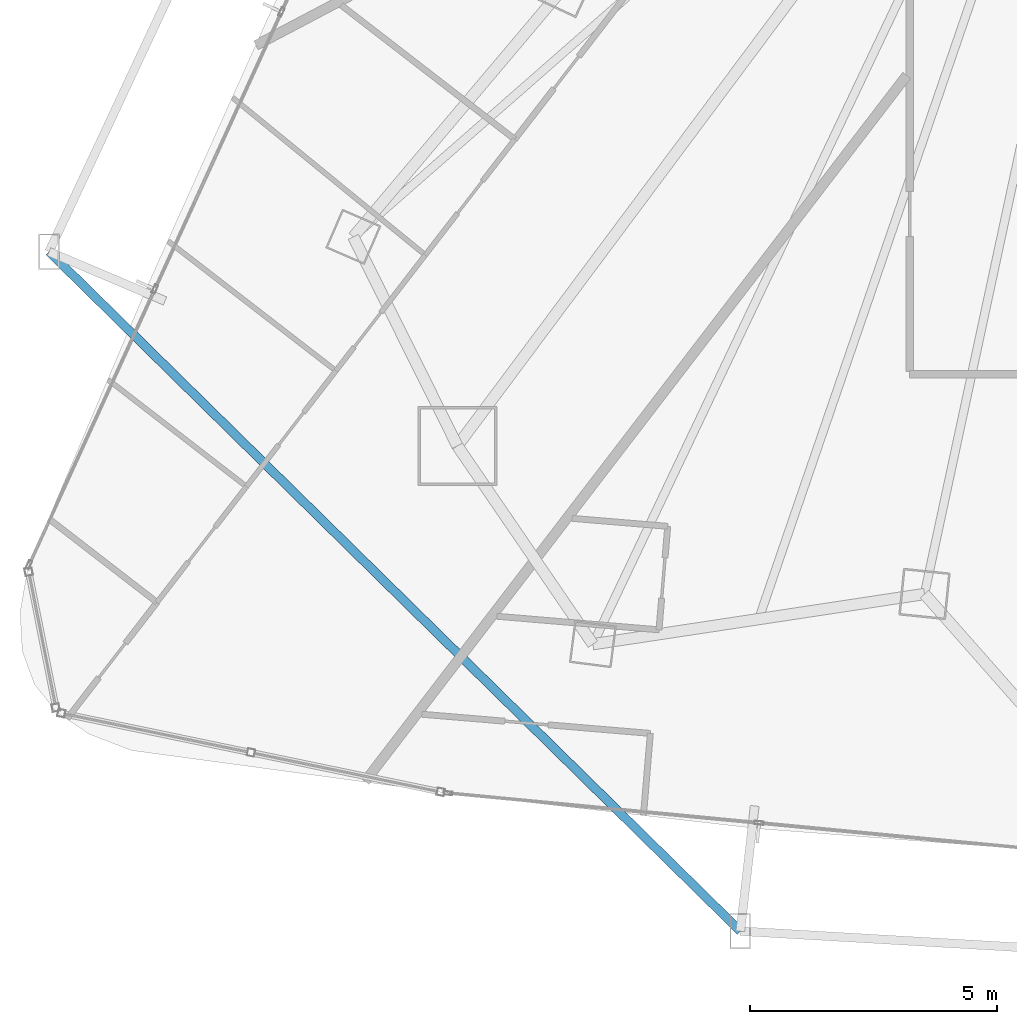
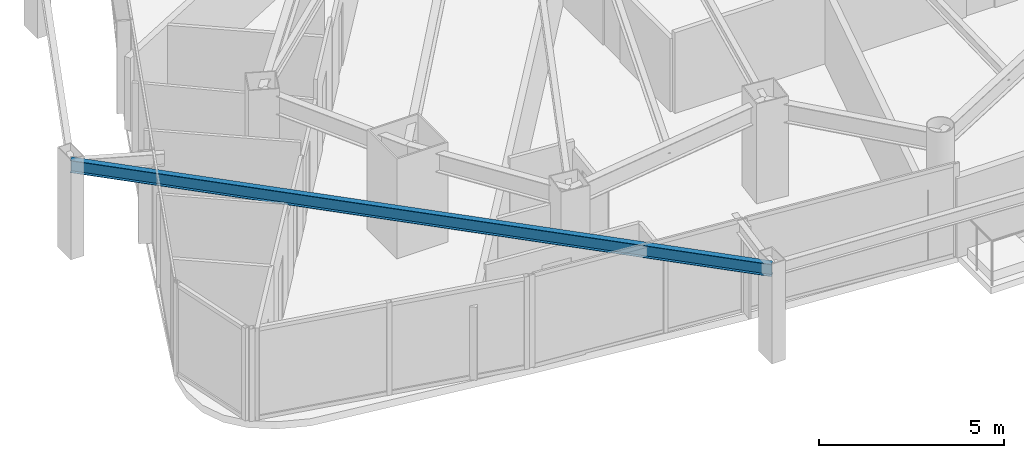
# One storey, part 3 of 34: 1 beam.
"""IFC4 building model written with IfcOpenShell, lengths in metres."""

from ifc_helpers import new_model, si_unit, direction, frame, origin, origin_2d, place, context, subcontext, project, spatial, i_section, extrude, material, material_profile, profile_set, type_object, element, save


model = new_model("IFC4")

# Units and contexts
model_context = context("Model", 3, precision=1e-05, world=origin(), true_north=direction((0.0, 1.0)))
body_context = subcontext(model_context, "Body", "Model", "MODEL_VIEW")
ifc_project = project(units=[si_unit("LENGTHUNIT", "METRE"), si_unit("AREAUNIT", "SQUARE_METRE"), si_unit("VOLUMEUNIT", "CUBIC_METRE"), si_unit("PLANEANGLEUNIT", "RADIAN"), si_unit("MASSUNIT", "GRAM", prefix="KILO")], contexts=[model_context])

# Site, building, storey
site_placement = place(None, origin())
site = spatial("IfcSite", under=ifc_project, at=site_placement, CompositionType="ELEMENT")
building_placement = place(site_placement, origin())
building = spatial("IfcBuilding", under=site, at=building_placement, Name="Orvanel Arch Residences", CompositionType="ELEMENT")
storey_placement = place(building_placement, frame((0.0, 0.0, 74.14990234375)))
storey = spatial("IfcBuildingStorey", under=building, at=storey_placement, Name="L20", CompositionType="ELEMENT", Elevation=74.14990234375)

# Beam
ifc_material = material(Name="Structural steel AS/NZS 3679.1 Grade 300 (300 MPa)", Category="steel")
ifc_material_profile = material_profile(ifc_material, i_section(OverallWidth=0.177978515625, OverallDepth=0.406005859375, WebThickness=0.0078125, FlangeThickness=0.0126953125, at=origin_2d()), Name="410UB59.7")
ifc_profile_set = profile_set([ifc_material_profile], Name="Structural steel AS/NZS 3679.1 Grade 300 (300 MPa)")
beam_type = type_object("IfcBeamType", Name="OB-410UB-EXT", PredefinedType="SPANDREL", material=ifc_profile_set)
beam_placement = place(storey_placement, frame((5.93896484375, 14.279052734375, 2.857177734375), z_axis=(0.713199702725, -0.700960900502, 0.0), x_axis=(0.700960900502, 0.713199702725, 0.0)))
element("IfcBeam", 1, at=beam_placement, inside=storey, type_object=beam_type, Name="L20 Outer Perimeter Floor Ring Beam 04", PredefinedType="SPANDREL", context=body_context, shape_type="SweptSolid", body=[
    extrude(i_section(OverallWidth=0.177978515625, OverallDepth=0.406005859375, WebThickness=0.0078125, FlangeThickness=0.0126953125, at=origin_2d()), origin(), (0.0, 0.0, 1.0), 19.60888671875),
])

save(model, "model.ifc")
